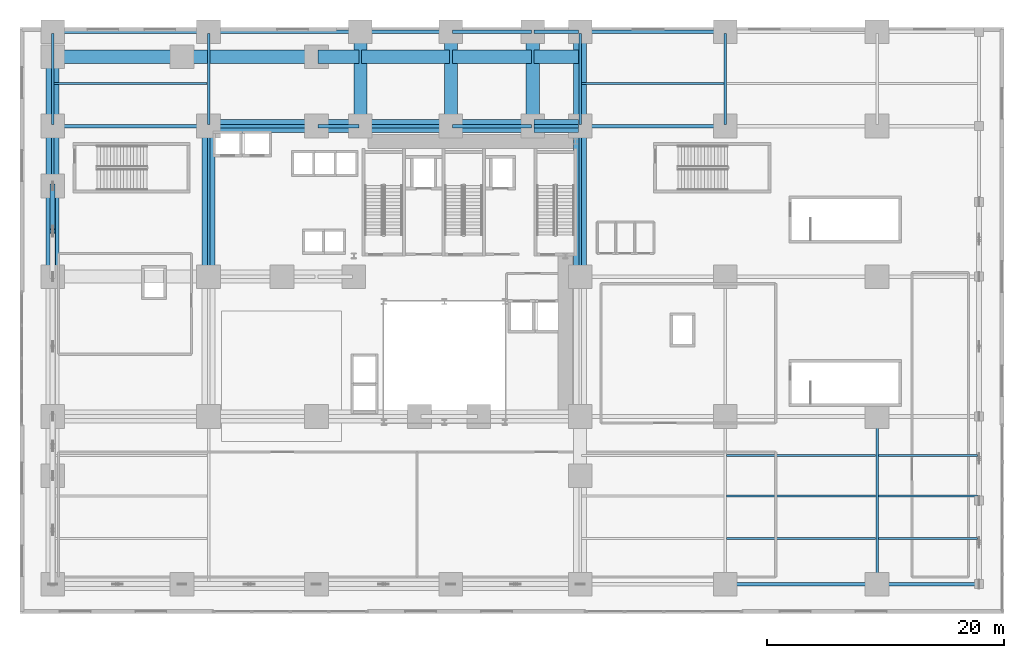
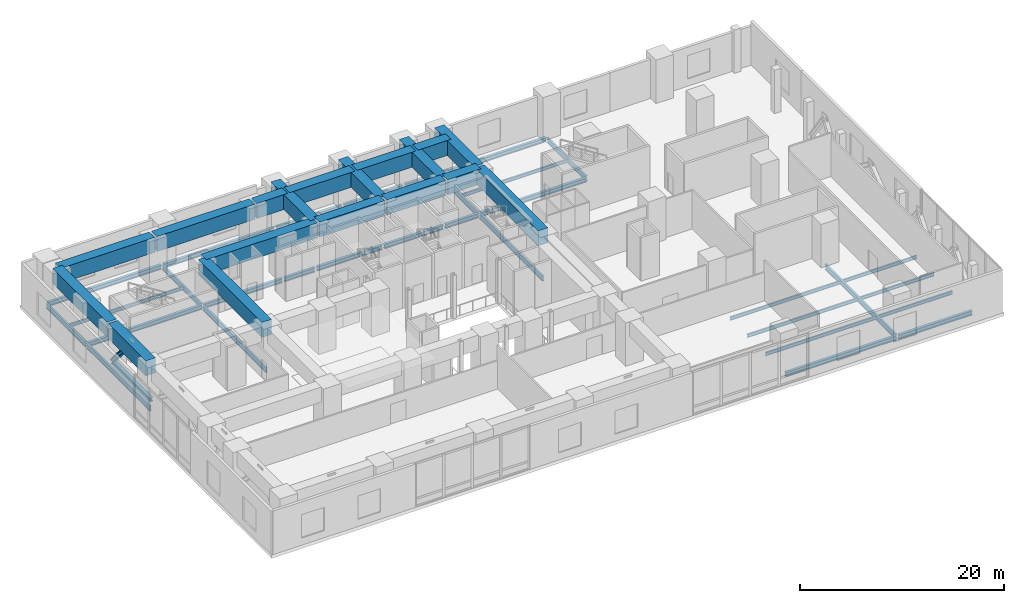
# One storey, part 5 of 17: 49 beams, 2 members.
"""IFC4 building model written with IfcOpenShell, lengths in metres."""

from ifc_helpers import new_model, si_unit, direction, frame, origin, origin_2d, place, context, subcontext, project, spatial, rectangle, i_section, extrude, source, transform, mapped, material, material_profile, profile_set, type_object, element, save


model = new_model("IFC4")

# Units and contexts
model_context = context("Model", 3, precision=1e-05, world=origin(), true_north=direction((0.0, 1.0)))
body_context = subcontext(model_context, "Body", "Model", "MODEL_VIEW")
ifc_project = project(units=[si_unit("LENGTHUNIT", "METRE"), si_unit("AREAUNIT", "SQUARE_METRE"), si_unit("VOLUMEUNIT", "CUBIC_METRE"), si_unit("PLANEANGLEUNIT", "RADIAN"), si_unit("MASSUNIT", "GRAM", prefix="KILO")], contexts=[model_context])

# Site, building, storey
site_placement = place(None, origin())
site = spatial("IfcSite", under=ifc_project, at=site_placement, CompositionType="ELEMENT")
building_placement = place(site_placement, origin())
building = spatial("IfcBuilding", under=site, at=building_placement, Name="Vardaveli Station Tower", CompositionType="ELEMENT")
storey_placement = place(building_placement, frame((0.0, 0.0, 11.39990234375)))
storey = spatial("IfcBuildingStorey", under=building, at=storey_placement, Name="L03", CompositionType="ELEMENT", Elevation=11.39990234375)

# Beams
ifc_material_1 = material(Name="Concrete C60/75", Category="concrete")
ifc_material_profile_1 = material_profile(ifc_material_1, rectangle(XDim=1.10009765625, YDim=1.800048828125, at=origin_2d()), Name="TG 1100x1800")
ifc_profile_set_1 = profile_set([ifc_material_profile_1], Name="Concrete C60/75")
beam_type_1 = type_object("IfcBeamType", Name="BM-TG-1800", PredefinedType="BEAM", material=ifc_profile_set_1)
shared_shape_1 = source(origin(), body_context, "Body", "SweptSolid", [
    extrude(rectangle(XDim=1.10009765625, YDim=1.800048828125, at=origin_2d()), origin(), (0.0, 0.0, 1.0), 7.39990234375),
])
for number, where, z_axis, x_axis, name in (
    (1, (3.25, 29.02001953125, 4.300048828125), (0.0, 1.0, 0.0), (-1.0, 0.0, 0.0), "TG-L03-NS-W-4"),
    (2, (29.320068359375, 41.60009765625, 4.300048828125), (1.0, 0.0, 0.0), (0.0, 1.0, 0.0), "TG-L03-EW-N0-2"),
    (3, (29.320068359375, 47.449951171875, 4.300048828125), (1.0, 0.0, 0.0), (0.0, 1.0, 0.0), "TG-L03-EW-NW-4"),
):
    element("IfcBeam", number, at=place(storey_placement, frame(where, z_axis=z_axis, x_axis=x_axis)), inside=storey, type_object=beam_type_1, Name=name, PredefinedType="BEAM", context=body_context, shape_type="MappedRepresentation", body=[
        mapped(shared_shape_1, transform((0.0, 0.0, 0.0), scale=1.0)),
    ])
shared_shape_2 = source(origin(), body_context, "Body", "SweptSolid", [
    extrude(rectangle(XDim=1.10009765625, YDim=1.800048828125, at=origin_2d()), origin(), (0.0, 0.0, 1.0), 10.670166015625),
])
beam_1_placement = place(storey_placement, frame((3.25, 36.659912109375, 4.300048828125), z_axis=(0.0, 1.0, 0.0), x_axis=(-1.0, 0.0, 0.0)))
element("IfcBeam", 4, at=beam_1_placement, inside=storey, type_object=beam_type_1, Name="TG-L03-NS-W-5", PredefinedType="BEAM", context=body_context, shape_type="MappedRepresentation", body=[
    mapped(shared_shape_2, transform((0.0, 0.0, 0.0), scale=1.0)),
])
shared_shape_3 = source(origin(), body_context, "Body", "SweptSolid", [
    extrude(rectangle(XDim=1.10009765625, YDim=1.800048828125, at=origin_2d()), origin(), (0.0, 0.0, 1.0), 12.4599609375),
])
for number, where, z_axis, x_axis, name in (
    (5, (16.39990234375, 29.02001953125, 4.300048828125), (0.0, 1.0, 0.0), (-1.0, 0.0, 0.0), "TG-L03-NS-M1-2"),
    (6, (47.75, 29.02001953125, 4.300048828125), (0.0, 1.0, 0.0), (-1.0, 0.0, 0.0), "TG-L03-NS-E-4"),
):
    element("IfcBeam", number, at=place(storey_placement, frame(where, z_axis=z_axis, x_axis=x_axis)), inside=storey, type_object=beam_type_1, Name=name, PredefinedType="BEAM", context=body_context, shape_type="MappedRepresentation", body=[
        mapped(shared_shape_3, transform((0.0, 0.0, 0.0), scale=1.0)),
    ])
shared_shape_4 = source(origin(), body_context, "Body", "SweptSolid", [
    extrude(rectangle(XDim=1.10009765625, YDim=1.800048828125, at=origin_2d()), origin(), (0.0, 0.0, 1.0), 7.7099609375),
])
for number, where, z_axis, x_axis, name in (
    (7, (29.199951171875, 41.719970703125, 4.300048828125), (0.0, 1.0, 0.0), (-1.0, 0.0, 0.0), "TG-L03-NS-VR1-1"),
    (8, (36.840087890625, 41.719970703125, 4.300048828125), (0.0, 1.0, 0.0), (-1.0, 0.0, 0.0), "TG-L03-NS-VR2-1"),
    (9, (43.75, 41.719970703125, 4.300048828125), (0.0, 1.0, 0.0), (-1.0, 0.0, 0.0), "TG-L03-NS-VR3-1"),
    (10, (47.75, 41.719970703125, 4.300048828125), (0.0, 1.0, 0.0), (-1.0, 0.0, 0.0), "TG-L03-NS-E-5"),
):
    element("IfcBeam", number, at=place(storey_placement, frame(where, z_axis=z_axis, x_axis=x_axis)), inside=storey, type_object=beam_type_1, Name=name, PredefinedType="BEAM", context=body_context, shape_type="MappedRepresentation", body=[
        mapped(shared_shape_4, transform((0.0, 0.0, 0.0), scale=1.0)),
    ])
shared_shape_5 = source(origin(), body_context, "Body", "SweptSolid", [
    extrude(rectangle(XDim=1.10009765625, YDim=1.800048828125, at=origin_2d()), origin(), (0.0, 0.0, 1.0), 10.669921875),
])
beam_2_placement = place(storey_placement, frame((3.3701171875, 47.449951171875, 4.300048828125), z_axis=(1.0, 0.0, 0.0), x_axis=(0.0, 1.0, 0.0)))
element("IfcBeam", 11, at=beam_2_placement, inside=storey, type_object=beam_type_1, Name="TG-L03-EW-NW-1", PredefinedType="BEAM", context=body_context, shape_type="MappedRepresentation", body=[
    mapped(shared_shape_5, transform((0.0, 0.0, 0.0), scale=1.0)),
])
shared_shape_6 = source(origin(), body_context, "Body", "SweptSolid", [
    extrude(rectangle(XDim=1.10009765625, YDim=1.800048828125, at=origin_2d()), origin(), (0.0, 0.0, 1.0), 11.099853515625),
])
beam_3_placement = place(storey_placement, frame((14.280029296875, 47.449951171875, 4.300048828125), z_axis=(1.0, 0.0, 0.0), x_axis=(0.0, 1.0, 0.0)))
element("IfcBeam", 12, at=beam_3_placement, inside=storey, type_object=beam_type_1, Name="TG-L03-EW-NW-2", PredefinedType="BEAM", context=body_context, shape_type="MappedRepresentation", body=[
    mapped(shared_shape_6, transform((0.0, 0.0, 0.0), scale=1.0)),
])
shared_shape_7 = source(origin(), body_context, "Body", "SweptSolid", [
    extrude(rectangle(XDim=1.10009765625, YDim=1.800048828125, at=origin_2d()), origin(), (0.0, 0.0, 1.0), 12.56005859375),
])
beam_4_placement = place(storey_placement, frame((16.52001953125, 41.60009765625, 4.300048828125), z_axis=(1.0, 0.0, 0.0), x_axis=(0.0, 1.0, 0.0)))
element("IfcBeam", 13, at=beam_4_placement, inside=storey, type_object=beam_type_1, Name="TG-L03-EW-N0-1", PredefinedType="BEAM", context=body_context, shape_type="MappedRepresentation", body=[
    mapped(shared_shape_7, transform((0.0, 0.0, 0.0), scale=1.0)),
])
shared_shape_8 = source(origin(), body_context, "Body", "SweptSolid", [
    extrude(rectangle(XDim=1.10009765625, YDim=1.800048828125, at=origin_2d()), origin(), (0.0, 0.0, 1.0), 6.669921875),
])
for number, where, z_axis, x_axis, name in (
    (14, (36.9599609375, 41.60009765625, 4.300048828125), (1.0, 0.0, 0.0), (0.0, 1.0, 0.0), "TG-L03-EW-N0-3"),
    (15, (36.9599609375, 47.449951171875, 4.300048828125), (1.0, 0.0, 0.0), (0.0, 1.0, 0.0), "TG-L03-EW-NW-5"),
):
    element("IfcBeam", number, at=place(storey_placement, frame(where, z_axis=z_axis, x_axis=x_axis)), inside=storey, type_object=beam_type_1, Name=name, PredefinedType="BEAM", context=body_context, shape_type="MappedRepresentation", body=[
        mapped(shared_shape_8, transform((0.0, 0.0, 0.0), scale=1.0)),
    ])
shared_shape_9 = source(origin(), body_context, "Body", "SweptSolid", [
    extrude(rectangle(XDim=1.10009765625, YDim=1.800048828125, at=origin_2d()), origin(), (0.0, 0.0, 1.0), 3.759765625),
])
for number, where, z_axis, x_axis, name in (
    (16, (43.8701171875, 41.60009765625, 4.300048828125), (1.0, 0.0, 0.0), (0.0, 1.0, 0.0), "TG-L03-EW-N0-4"),
    (17, (43.8701171875, 47.449951171875, 4.300048828125), (1.0, 0.0, 0.0), (0.0, 1.0, 0.0), "TG-L03-EW-NW-6"),
):
    element("IfcBeam", number, at=place(storey_placement, frame(where, z_axis=z_axis, x_axis=x_axis)), inside=storey, type_object=beam_type_1, Name=name, PredefinedType="BEAM", context=body_context, shape_type="MappedRepresentation", body=[
        mapped(shared_shape_9, transform((0.0, 0.0, 0.0), scale=1.0)),
    ])
shared_shape_10 = source(origin(), body_context, "Body", "SweptSolid", [
    extrude(rectangle(XDim=1.10009765625, YDim=1.800048828125, at=origin_2d()), origin(), (0.0, 0.0, 1.0), 3.4599609375),
])
beam_5_placement = place(storey_placement, frame((25.6201171875, 47.449951171875, 4.300048828125), z_axis=(1.0, 0.0, 0.0), x_axis=(0.0, 1.0, 0.0)))
element("IfcBeam", 18, at=beam_5_placement, inside=storey, type_object=beam_type_1, Name="TG-L03-EW-NW-3", PredefinedType="BEAM", context=body_context, shape_type="MappedRepresentation", body=[
    mapped(shared_shape_10, transform((0.0, 0.0, 0.0), scale=1.0)),
])

# Members
ifc_material_2 = material(Name="Structural steel S460M", Category="steel")
ifc_material_profile_2 = material_profile(ifc_material_2, i_section(OverallWidth=0.427978515625, OverallDepth=0.48095703125, WebThickness=0.03955078125, FlangeThickness=0.0634765625, FilletRadius=0.014892578125, at=origin_2d()), Name="HD 400x677")
ifc_profile_set_2 = profile_set([ifc_material_profile_2], Name="Structural steel S460M")
member_type_1 = type_object("IfcMemberType", Name="MEM-CH-HD677", PredefinedType="CHORD", material=ifc_profile_set_2)
shared_shape_11 = source(origin(), body_context, "Body", "SweptSolid", [
    extrude(i_section(OverallWidth=0.427978515625, OverallDepth=0.48095703125, WebThickness=0.03955078125, FlangeThickness=0.0634765625, FilletRadius=0.014892578125, at=origin_2d()), origin(), (0.0, 0.0, 1.0), 7.64013671875),
])
member_1_placement = place(storey_placement, frame((3.25, 28.89990234375, 0.4501953125), z_axis=(0.0, 1.0, 0.0), x_axis=(-1.0, 0.0, 0.0)))
element("IfcMember", 19, at=member_1_placement, inside=storey, type_object=member_type_1, Name="TTR-CH-04", PredefinedType="CHORD", context=body_context, shape_type="MappedRepresentation", body=[
    mapped(shared_shape_11, transform((0.0, 0.0, 0.0), scale=1.0)),
])
ifc_material_profile_3 = material_profile(ifc_material_2, i_section(OverallWidth=0.424072265625, OverallDepth=0.465087890625, WebThickness=0.034912109375, FlangeThickness=0.055908203125, FilletRadius=0.014892578125, at=origin_2d()), Name="HD 400x592")
ifc_profile_set_3 = profile_set([ifc_material_profile_3], Name="Structural steel S460M")
member_type_2 = type_object("IfcMemberType", Name="MEM-BR-HD592", PredefinedType="BRACE", material=ifc_profile_set_3)
shared_shape_12 = source(origin(), body_context, "Body", "SweptSolid", [
    extrude(i_section(OverallWidth=0.424072265625, OverallDepth=0.465087890625, WebThickness=0.034912109375, FlangeThickness=0.055908203125, FilletRadius=0.014892578125, at=origin_2d()), origin(), (0.0, 0.0, 1.0), 5.90283203125),
])
member_2_placement = place(storey_placement, frame((3.25, 36.5400390625, 0.4501953125), z_axis=(0.0, -0.64716325183, 0.76235144486), x_axis=(1.0, 0.0, 0.0)))
element("IfcMember", 20, at=member_2_placement, inside=storey, type_object=member_type_2, Name="TTR-D2-04", PredefinedType="BRACE", context=body_context, shape_type="MappedRepresentation", body=[
    mapped(shared_shape_12, transform((0.0, 0.0, 0.0), scale=1.0)),
])

# Beams
ifc_material_3 = material(Name="Structural steel S355J2", Category="steel")
ifc_material_profile_4 = material_profile(ifc_material_3, i_section(OverallWidth=0.305908203125, OverallDepth=0.52392578125, WebThickness=0.02099609375, FlangeThickness=0.0400390625, FilletRadius=0.027099609375, at=origin_2d()), Name="HEM 500")
ifc_profile_set_4 = profile_set([ifc_material_profile_4], Name="Structural steel S355J2")
beam_type_2 = type_object("IfcBeamType", Name="BM-HEM500", PredefinedType="BEAM", material=ifc_profile_set_4)
shared_shape_13 = source(origin(), body_context, "Body", "SweptSolid", [
    extrude(i_section(OverallWidth=0.305908203125, OverallDepth=0.52392578125, WebThickness=0.02099609375, FlangeThickness=0.0400390625, FilletRadius=0.027099609375, at=origin_2d()), origin(), (0.0, 0.0, 1.0), 12.009765625),
])
for number, where, z_axis, x_axis, name in (
    (21, (47.8701171875, 41.60009765625, -0.661865234375), (1.0, 0.0, 0.0), (0.0, 1.0, 0.0), "PBM-L03-EW3-6"),
    (22, (47.8701171875, 49.550048828125, -0.661865234375), (1.0, 0.0, 0.0), (0.0, 1.0, 0.0), "PBM-L03-EW4-5"),
):
    element("IfcBeam", number, at=place(storey_placement, frame(where, z_axis=z_axis, x_axis=x_axis)), inside=storey, type_object=beam_type_2, Name=name, PredefinedType="BEAM", context=body_context, shape_type="MappedRepresentation", body=[
        mapped(shared_shape_13, transform((0.0, 0.0, 0.0), scale=1.0)),
    ])
shared_shape_14 = source(origin(), body_context, "Body", "SweptSolid", [
    extrude(i_section(OverallWidth=0.305908203125, OverallDepth=0.52392578125, WebThickness=0.02099609375, FlangeThickness=0.0400390625, FilletRadius=0.027099609375, at=origin_2d()), origin(), (0.0, 0.0, 1.0), 12.559814453125),
])
beam_6_placement = place(storey_placement, frame((60.1201171875, 2.949951171875, -0.661865234375), z_axis=(1.0, 0.0, 0.0), x_axis=(0.0, 1.0, 0.0)))
element("IfcBeam", 23, at=beam_6_placement, inside=storey, type_object=beam_type_2, Name="PBM-L03-EW0-5", PredefinedType="BEAM", context=body_context, shape_type="MappedRepresentation", body=[
    mapped(shared_shape_14, transform((0.0, 0.0, 0.0), scale=1.0)),
])
shared_shape_15 = source(origin(), body_context, "Body", "SweptSolid", [
    extrude(i_section(OverallWidth=0.305908203125, OverallDepth=0.52392578125, WebThickness=0.02099609375, FlangeThickness=0.0400390625, FilletRadius=0.027099609375, at=origin_2d()), origin(), (0.0, 0.0, 1.0), 12.909912109375),
])
for number, where, z_axis, x_axis, name in (
    (24, (3.3701171875, 41.60009765625, -0.661865234375), (1.0, 0.0, 0.0), (0.0, 1.0, 0.0), "PBM-L03-EW3-0"),
    (25, (3.3701171875, 49.550048828125, -0.661865234375), (1.0, 0.0, 0.0), (0.0, 1.0, 0.0), "PBM-L03-EW4-0"),
):
    element("IfcBeam", number, at=place(storey_placement, frame(where, z_axis=z_axis, x_axis=x_axis)), inside=storey, type_object=beam_type_2, Name=name, PredefinedType="BEAM", context=body_context, shape_type="MappedRepresentation", body=[
        mapped(shared_shape_15, transform((0.0, 0.0, 0.0), scale=1.0)),
    ])
shared_shape_16 = source(origin(), body_context, "Body", "SweptSolid", [
    extrude(i_section(OverallWidth=0.305908203125, OverallDepth=0.52392578125, WebThickness=0.02099609375, FlangeThickness=0.0400390625, FilletRadius=0.027099609375, at=origin_2d()), origin(), (0.0, 0.0, 1.0), 8.85986328125),
])
beam_7_placement = place(storey_placement, frame((16.52001953125, 41.60009765625, -0.661865234375), z_axis=(1.0, 0.0, 0.0), x_axis=(0.0, 1.0, 0.0)))
element("IfcBeam", 26, at=beam_7_placement, inside=storey, type_object=beam_type_2, Name="PBM-L03-EW3-1", PredefinedType="BEAM", context=body_context, shape_type="MappedRepresentation", body=[
    mapped(shared_shape_16, transform((0.0, 0.0, 0.0), scale=1.0)),
])
shared_shape_17 = source(origin(), body_context, "Body", "SweptSolid", [
    extrude(i_section(OverallWidth=0.305908203125, OverallDepth=0.52392578125, WebThickness=0.02099609375, FlangeThickness=0.0400390625, FilletRadius=0.027099609375, at=origin_2d()), origin(), (0.0, 0.0, 1.0), 3.4599609375),
])
beam_8_placement = place(storey_placement, frame((25.6201171875, 41.60009765625, -0.661865234375), z_axis=(1.0, 0.0, 0.0), x_axis=(0.0, 1.0, 0.0)))
element("IfcBeam", 27, at=beam_8_placement, inside=storey, type_object=beam_type_2, Name="PBM-L03-EW3-2", PredefinedType="BEAM", context=body_context, shape_type="MappedRepresentation", body=[
    mapped(shared_shape_17, transform((0.0, 0.0, 0.0), scale=1.0)),
])
shared_shape_18 = source(origin(), body_context, "Body", "SweptSolid", [
    extrude(i_section(OverallWidth=0.305908203125, OverallDepth=0.52392578125, WebThickness=0.02099609375, FlangeThickness=0.0400390625, FilletRadius=0.027099609375, at=origin_2d()), origin(), (0.0, 0.0, 1.0), 7.39990234375),
])
for number, where, z_axis, x_axis, name in (
    (28, (29.320068359375, 41.60009765625, -0.661865234375), (1.0, 0.0, 0.0), (0.0, 1.0, 0.0), "PBM-L03-EW3-3"),
    (29, (29.320068359375, 49.550048828125, -0.661865234375), (1.0, 0.0, 0.0), (0.0, 1.0, 0.0), "PBM-L03-EW4-2"),
):
    element("IfcBeam", number, at=place(storey_placement, frame(where, z_axis=z_axis, x_axis=x_axis)), inside=storey, type_object=beam_type_2, Name=name, PredefinedType="BEAM", context=body_context, shape_type="MappedRepresentation", body=[
        mapped(shared_shape_18, transform((0.0, 0.0, 0.0), scale=1.0)),
    ])
shared_shape_19 = source(origin(), body_context, "Body", "SweptSolid", [
    extrude(i_section(OverallWidth=0.305908203125, OverallDepth=0.52392578125, WebThickness=0.02099609375, FlangeThickness=0.0400390625, FilletRadius=0.027099609375, at=origin_2d()), origin(), (0.0, 0.0, 1.0), 6.669921875),
])
for number, where, z_axis, x_axis, name in (
    (30, (36.9599609375, 41.60009765625, -0.661865234375), (1.0, 0.0, 0.0), (0.0, 1.0, 0.0), "PBM-L03-EW3-4"),
    (31, (36.9599609375, 49.550048828125, -0.661865234375), (1.0, 0.0, 0.0), (0.0, 1.0, 0.0), "PBM-L03-EW4-3"),
):
    element("IfcBeam", number, at=place(storey_placement, frame(where, z_axis=z_axis, x_axis=x_axis)), inside=storey, type_object=beam_type_2, Name=name, PredefinedType="BEAM", context=body_context, shape_type="MappedRepresentation", body=[
        mapped(shared_shape_19, transform((0.0, 0.0, 0.0), scale=1.0)),
    ])
shared_shape_20 = source(origin(), body_context, "Body", "SweptSolid", [
    extrude(i_section(OverallWidth=0.305908203125, OverallDepth=0.52392578125, WebThickness=0.02099609375, FlangeThickness=0.0400390625, FilletRadius=0.027099609375, at=origin_2d()), origin(), (0.0, 0.0, 1.0), 3.759765625),
])
for number, where, z_axis, x_axis, name in (
    (32, (43.8701171875, 41.60009765625, -0.661865234375), (1.0, 0.0, 0.0), (0.0, 1.0, 0.0), "PBM-L03-EW3-5"),
    (33, (43.8701171875, 49.550048828125, -0.661865234375), (1.0, 0.0, 0.0), (0.0, 1.0, 0.0), "PBM-L03-EW4-4"),
):
    element("IfcBeam", number, at=place(storey_placement, frame(where, z_axis=z_axis, x_axis=x_axis)), inside=storey, type_object=beam_type_2, Name=name, PredefinedType="BEAM", context=body_context, shape_type="MappedRepresentation", body=[
        mapped(shared_shape_20, transform((0.0, 0.0, 0.0), scale=1.0)),
    ])
shared_shape_21 = source(origin(), body_context, "Body", "SweptSolid", [
    extrude(i_section(OverallWidth=0.305908203125, OverallDepth=0.52392578125, WebThickness=0.02099609375, FlangeThickness=0.0400390625, FilletRadius=0.027099609375, at=origin_2d()), origin(), (0.0, 0.0, 1.0), 12.56005859375),
])
beam_9_placement = place(storey_placement, frame((16.52001953125, 49.550048828125, -0.661865234375), z_axis=(1.0, 0.0, 0.0), x_axis=(0.0, 1.0, 0.0)))
element("IfcBeam", 34, at=beam_9_placement, inside=storey, type_object=beam_type_2, Name="PBM-L03-EW4-1", PredefinedType="BEAM", context=body_context, shape_type="MappedRepresentation", body=[
    mapped(shared_shape_21, transform((0.0, 0.0, 0.0), scale=1.0)),
])
ifc_material_profile_5 = material_profile(ifc_material_3, i_section(OverallWidth=0.219970703125, OverallDepth=0.60009765625, WebThickness=0.011962890625, FlangeThickness=0.01904296875, FilletRadius=0.02392578125, at=origin_2d()), Name="IPE 600")
ifc_profile_set_5 = profile_set([ifc_material_profile_5], Name="Structural steel S355J2")
beam_type_3 = type_object("IfcBeamType", Name="BM-IPE600", PredefinedType="BEAM", material=ifc_profile_set_5)
shared_shape_22 = source(origin(), body_context, "Body", "SweptSolid", [
    extrude(i_section(OverallWidth=0.219970703125, OverallDepth=0.60009765625, WebThickness=0.011962890625, FlangeThickness=0.01904296875, FilletRadius=0.02392578125, at=origin_2d()), origin(), (0.0, 0.0, 1.0), 13.909912109375),
])
beam_10_placement = place(storey_placement, frame((72.800048828125, 3.070068359375, -0.699951171875), z_axis=(0.0, 1.0, 0.0), x_axis=(-1.0, 0.0, 0.0)))
element("IfcBeam", 35, at=beam_10_placement, inside=storey, type_object=beam_type_3, Name="PBM-L03-NS4-0", PredefinedType="BEAM", context=body_context, shape_type="MappedRepresentation", body=[
    mapped(shared_shape_22, transform((0.0, 0.0, 0.0), scale=1.0)),
])
shared_shape_23 = source(origin(), body_context, "Body", "SweptSolid", [
    extrude(i_section(OverallWidth=0.219970703125, OverallDepth=0.60009765625, WebThickness=0.011962890625, FlangeThickness=0.01904296875, FilletRadius=0.02392578125, at=origin_2d()), origin(), (0.0, 0.0, 1.0), 12.4599609375),
])
for number, where, z_axis, x_axis, name in (
    (36, (3.25, 29.02001953125, -0.699951171875), (0.0, 1.0, 0.0), (-1.0, 0.0, 0.0), "PBM-L03-NS0-2"),
    (37, (16.39990234375, 29.02001953125, -0.699951171875), (0.0, 1.0, 0.0), (-1.0, 0.0, 0.0), "PBM-L03-NS1-2"),
    (38, (47.75, 29.02001953125, -0.699951171875), (0.0, 1.0, 0.0), (-1.0, 0.0, 0.0), "PBM-L03-NS2-2"),
):
    element("IfcBeam", number, at=place(storey_placement, frame(where, z_axis=z_axis, x_axis=x_axis)), inside=storey, type_object=beam_type_3, Name=name, PredefinedType="BEAM", context=body_context, shape_type="MappedRepresentation", body=[
        mapped(shared_shape_23, transform((0.0, 0.0, 0.0), scale=1.0)),
    ])
shared_shape_24 = source(origin(), body_context, "Body", "SweptSolid", [
    extrude(i_section(OverallWidth=0.219970703125, OverallDepth=0.60009765625, WebThickness=0.011962890625, FlangeThickness=0.01904296875, FilletRadius=0.02392578125, at=origin_2d()), origin(), (0.0, 0.0, 1.0), 7.7099609375),
])
for number, where, z_axis, x_axis, name in (
    (39, (3.25, 41.719970703125, -0.699951171875), (0.0, 1.0, 0.0), (-1.0, 0.0, 0.0), "PBM-L03-NS0-3"),
    (40, (16.39990234375, 41.719970703125, -0.699951171875), (0.0, 1.0, 0.0), (-1.0, 0.0, 0.0), "PBM-L03-NS1-3"),
    (41, (47.75, 41.719970703125, -0.699951171875), (0.0, 1.0, 0.0), (-1.0, 0.0, 0.0), "PBM-L03-NS2-3"),
    (42, (60.0, 41.719970703125, -0.699951171875), (0.0, 1.0, 0.0), (-1.0, 0.0, 0.0), "PBM-L03-NS3-3"),
):
    element("IfcBeam", number, at=place(storey_placement, frame(where, z_axis=z_axis, x_axis=x_axis)), inside=storey, type_object=beam_type_3, Name=name, PredefinedType="BEAM", context=body_context, shape_type="MappedRepresentation", body=[
        mapped(shared_shape_24, transform((0.0, 0.0, 0.0), scale=1.0)),
    ])
ifc_material_profile_6 = material_profile(ifc_material_3, i_section(OverallWidth=0.179931640625, OverallDepth=0.39990234375, WebThickness=0.008544921875, FlangeThickness=0.013427734375, FilletRadius=0.02099609375, at=origin_2d()), Name="IPE 400")
ifc_profile_set_6 = profile_set([ifc_material_profile_6], Name="Structural steel S355J2")
beam_type_4 = type_object("IfcBeamType", Name="BM-IPE400", PredefinedType="JOIST", material=ifc_profile_set_6)
shared_shape_25 = source(origin(), body_context, "Body", "SweptSolid", [
    extrude(i_section(OverallWidth=0.179931640625, OverallDepth=0.39990234375, WebThickness=0.008544921875, FlangeThickness=0.013427734375, FilletRadius=0.02099609375, at=origin_2d()), origin(), (0.0, 0.0, 1.0), 12.02587890625),
])
beam_11_placement = place(storey_placement, frame((47.862060546875, 45.199951171875, -0.599853515625), z_axis=(1.0, 0.0, 0.0), x_axis=(0.0, 1.0, 0.0)))
element("IfcBeam", 43, at=beam_11_placement, inside=storey, type_object=beam_type_4, Name="PJ-L03-4-2", PredefinedType="JOIST", context=body_context, shape_type="MappedRepresentation", body=[
    mapped(shared_shape_25, transform((0.0, 0.0, 0.0), scale=1.0)),
])
shared_shape_26 = source(origin(), body_context, "Body", "SweptSolid", [
    extrude(i_section(OverallWidth=0.179931640625, OverallDepth=0.39990234375, WebThickness=0.008544921875, FlangeThickness=0.013427734375, FilletRadius=0.02099609375, at=origin_2d()), origin(), (0.0, 0.0, 1.0), 12.575927734375),
])
for number, where, z_axis, x_axis, name in (
    (44, (60.112060546875, 6.800048828125, -0.599853515625), (1.0, 0.0, 0.0), (0.0, 1.0, 0.0), "PJ-L03-1-3"),
    (45, (60.112060546875, 10.39990234375, -0.599853515625), (1.0, 0.0, 0.0), (0.0, 1.0, 0.0), "PJ-L03-2-3"),
    (46, (60.112060546875, 13.800048828125, -0.599853515625), (1.0, 0.0, 0.0), (0.0, 1.0, 0.0), "PJ-L03-3-3"),
):
    element("IfcBeam", number, at=place(storey_placement, frame(where, z_axis=z_axis, x_axis=x_axis)), inside=storey, type_object=beam_type_4, Name=name, PredefinedType="JOIST", context=body_context, shape_type="MappedRepresentation", body=[
        mapped(shared_shape_26, transform((0.0, 0.0, 0.0), scale=1.0)),
    ])
shared_shape_27 = source(origin(), body_context, "Body", "SweptSolid", [
    extrude(i_section(OverallWidth=0.305908203125, OverallDepth=0.52392578125, WebThickness=0.02099609375, FlangeThickness=0.0400390625, FilletRadius=0.027099609375, at=origin_2d()), origin(), (0.0, 0.0, 1.0), 8.360107421875),
])
beam_12_placement = place(storey_placement, frame((72.919921875, 2.949951171875, -0.661865234375), z_axis=(1.0, 0.0, 0.0), x_axis=(0.0, 1.0, 0.0)))
element("IfcBeam", 47, at=beam_12_placement, inside=storey, type_object=beam_type_2, Name="PBM-L03-EW0-6", PredefinedType="BEAM", context=body_context, shape_type="MappedRepresentation", body=[
    mapped(shared_shape_27, transform((0.0, 0.0, 0.0), scale=1.0)),
])
shared_shape_28 = source(origin(), body_context, "Body", "SweptSolid", [
    extrude(i_section(OverallWidth=0.179931640625, OverallDepth=0.39990234375, WebThickness=0.008544921875, FlangeThickness=0.013427734375, FilletRadius=0.02099609375, at=origin_2d()), origin(), (0.0, 0.0, 1.0), 12.926025390625),
])
beam_13_placement = place(storey_placement, frame((3.362060546875, 45.199951171875, -0.599853515625), z_axis=(1.0, 0.0, 0.0), x_axis=(0.0, 1.0, 0.0)))
element("IfcBeam", 48, at=beam_13_placement, inside=storey, type_object=beam_type_4, Name="PJ-L03-4-0", PredefinedType="JOIST", context=body_context, shape_type="MappedRepresentation", body=[
    mapped(shared_shape_28, transform((0.0, 0.0, 0.0), scale=1.0)),
])
shared_shape_29 = source(origin(), body_context, "Body", "SweptSolid", [
    extrude(i_section(OverallWidth=0.179931640625, OverallDepth=0.39990234375, WebThickness=0.008544921875, FlangeThickness=0.013427734375, FilletRadius=0.02099609375, at=origin_2d()), origin(), (0.0, 0.0, 1.0), 8.3759765625),
])
for number, where, z_axis, x_axis, name in (
    (49, (72.912109375, 6.800048828125, -0.599853515625), (1.0, 0.0, 0.0), (0.0, 1.0, 0.0), "PJ-L03-1-4"),
    (50, (72.912109375, 10.39990234375, -0.599853515625), (1.0, 0.0, 0.0), (0.0, 1.0, 0.0), "PJ-L03-2-4"),
    (51, (72.912109375, 13.800048828125, -0.599853515625), (1.0, 0.0, 0.0), (0.0, 1.0, 0.0), "PJ-L03-3-4"),
):
    element("IfcBeam", number, at=place(storey_placement, frame(where, z_axis=z_axis, x_axis=x_axis)), inside=storey, type_object=beam_type_4, Name=name, PredefinedType="JOIST", context=body_context, shape_type="MappedRepresentation", body=[
        mapped(shared_shape_29, transform((0.0, 0.0, 0.0), scale=1.0)),
    ])

save(model, "model.ifc")
